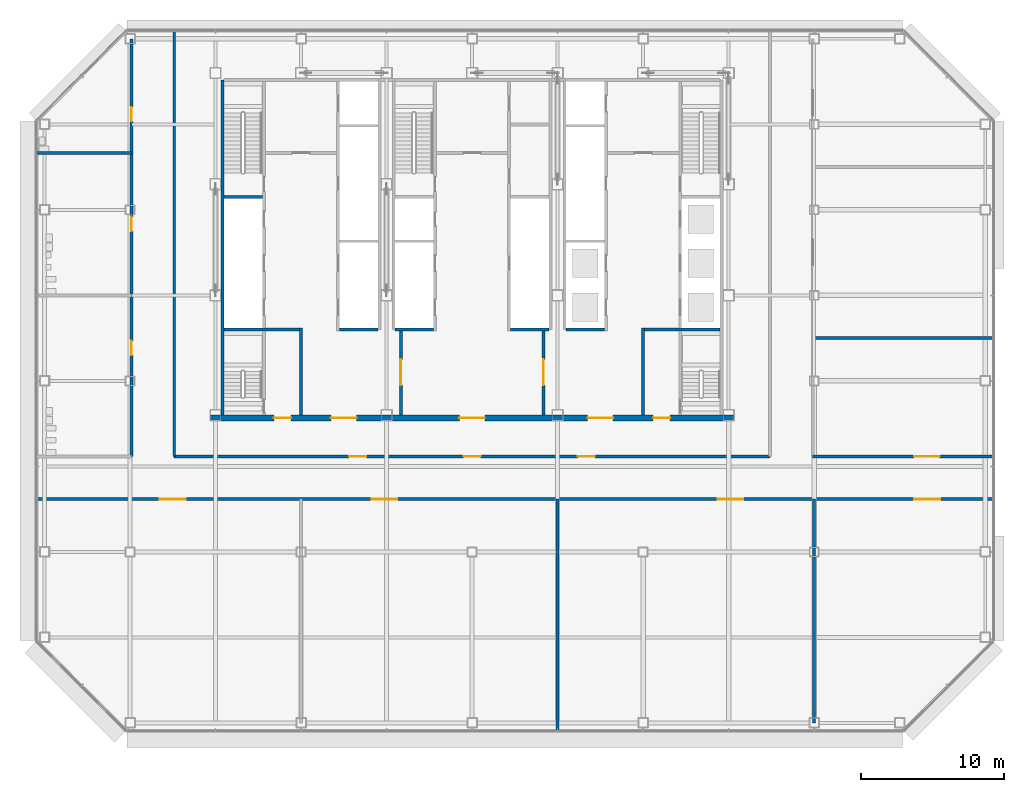
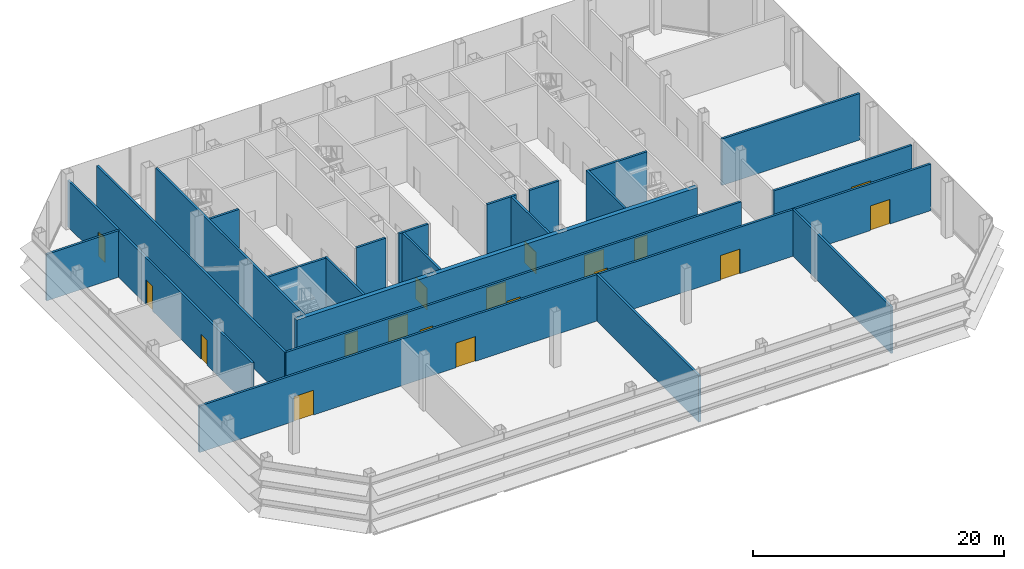
# One storey, part 16 of 24: 22 walls, 18 doors, 18 openings.
"""IFC4 building model written with IfcOpenShell, lengths in metres."""

from ifc_helpers import new_model, si_unit, direction, frame, frame_2d, origin, place, context, subcontext, project, spatial, rectangle, extrude, material, layer, layer_set, type_object, element, fill, save


model = new_model("IFC4")

# Units and contexts
model_context = context("Model", 3, precision=1e-05, world=origin(), true_north=direction((0.0, 1.0)))
body_context = subcontext(model_context, "Body", "Model", "MODEL_VIEW")
ifc_project = project(units=[si_unit("LENGTHUNIT", "METRE"), si_unit("AREAUNIT", "SQUARE_METRE"), si_unit("VOLUMEUNIT", "CUBIC_METRE"), si_unit("PLANEANGLEUNIT", "RADIAN"), si_unit("MASSUNIT", "GRAM", prefix="KILO")], contexts=[model_context])

# Site, building, storey
site_placement = place(None, origin())
site = spatial("IfcSite", under=ifc_project, at=site_placement, CompositionType="ELEMENT")
building_placement = place(site_placement, origin())
building = spatial("IfcBuilding", under=site, at=building_placement, Name="Sorahane Residences", CompositionType="ELEMENT")
storey_placement = place(building_placement, frame((0.0, 0.0, 161.800048828125)))
storey = spatial("IfcBuildingStorey", under=building, at=storey_placement, Name="L37", CompositionType="ELEMENT", Elevation=161.800048828125)

# Wall
ifc_material_1 = material(Name="Concrete C30", Category="concrete")
ifc_layer_1 = layer(ifc_material_1, 0.199951171875)
ifc_layer_set_1 = layer_set([ifc_layer_1], Name="Core face wall 200 EI 180")
wall_type_1 = type_object("IfcWallType", Name="Core face wall 200 EI 180", PredefinedType="SOLIDWALL", material=ifc_layer_set_1)
wall_1_placement = place(storey_placement, frame((6.5, 21.60009765625, 0.0), z_axis=(0.0, 0.0, 1.0), x_axis=(0.0, 1.0, 0.0)))
element("IfcWall", 1, at=wall_1_placement, inside=storey, type_object=wall_type_1, Name="L37 core face wall", PredefinedType="SOLIDWALL", context=body_context, shape_type="SweptSolid", body=[
    extrude(rectangle(XDim=23.5, YDim=0.199951171875, at=frame_2d((11.75, 0.0))), origin(), (0.0, 0.0, 1.0), 5.219970703125),
])

# Wall, openings, doors
ifc_material_2 = material(Name="Concrete blockwork C20 wall", Category="masonry")
ifc_layer_2 = layer(ifc_material_2, 0.199951171875)
ifc_layer_set_2 = layer_set([ifc_layer_2], Name="Corridor wall 200 EI 120")
wall_type_2 = type_object("IfcWallType", Name="Corridor wall 200 EI 120", PredefinedType="SOLIDWALL", material=ifc_layer_set_2)
wall_2_placement = place(storey_placement, frame((0.10009765625, 18.699951171875, 0.0), z_axis=(0.0, 0.0, 1.0), x_axis=(0.0, 1.0, 0.0)))
wall_2 = element("IfcWall", 2, at=wall_2_placement, inside=storey, type_object=wall_type_2, Name="L37 corridor wall", PredefinedType="SOLIDWALL", context=body_context, shape_type="SweptSolid", body=[
    extrude(rectangle(XDim=29.300048828125, YDim=0.199951171875, at=frame_2d((14.64990234375, 0.0))), origin(), (0.0, 0.0, 1.0), 4.52001953125),
])
opening_1_placement = place(wall_2_placement, frame((7.110107421875, 0.0, 0.0)))
opening_1 = element("IfcOpeningElement", 3, at=opening_1_placement, cuts=wall_2, Name="Opening L37-05", PredefinedType="OPENING", context=body_context, shape_type="SweptSolid", body=[
    extrude(rectangle(XDim=1.0, YDim=2.39990234375, at=frame_2d((0.5, 1.199951171875))), frame((0.0, 0.10986328125, 0.0), z_axis=(0.0, -1.0, 0.0), x_axis=(1.0, 0.0, 0.0)), (0.0, 0.0, 1.0), 0.219970703125),
])
opening_2_placement = place(wall_2_placement, frame((15.800048828125, 0.0, 0.0)))
opening_2 = element("IfcOpeningElement", 4, at=opening_2_placement, cuts=wall_2, Name="Opening L37-06", PredefinedType="OPENING", context=body_context, shape_type="SweptSolid", body=[
    extrude(rectangle(XDim=1.0, YDim=2.39990234375, at=frame_2d((0.5, 1.199951171875))), frame((0.0, 0.10986328125, 0.0), z_axis=(0.0, -1.0, 0.0), x_axis=(1.0, 0.0, 0.0)), (0.0, 0.0, 1.0), 0.219970703125),
])
opening_3_placement = place(wall_2_placement, frame((23.5, 0.0, 0.0)))
opening_3 = element("IfcOpeningElement", 5, at=opening_3_placement, cuts=wall_2, Name="Opening L37-07", PredefinedType="OPENING", context=body_context, shape_type="SweptSolid", body=[
    extrude(rectangle(XDim=1.0, YDim=2.39990234375, at=frame_2d((0.5, 1.199951171875))), frame((0.0, 0.10986328125, 0.0), z_axis=(0.0, -1.0, 0.0), x_axis=(1.0, 0.0, 0.0)), (0.0, 0.0, 1.0), 0.219970703125),
])
ifc_material_3 = material(Name="Timber veneered fire door", Category="wood")
door_type_1 = type_object("IfcDoorType", Name="Room door 1000x2400 FD30", OperationType="NOTDEFINED", PredefinedType="DOOR", material=ifc_material_3)
door_1_placement = place(opening_1_placement, origin())
door_1 = element("IfcDoor", 6, at=door_1_placement, inside=storey, type_object=door_type_1, Name="Room door L37-05", OperationType="SINGLE_SWING_LEFT", OverallHeight=2.39990234375, OverallWidth=1.0, PredefinedType="DOOR", context=body_context, shape_type="SweptSolid", body=[
    extrude(rectangle(XDim=1.0, YDim=2.39990234375, at=frame_2d((0.5, 1.199951171875))), frame((0.0, 0.02490234375, 0.0), z_axis=(0.0, -1.0, 0.0), x_axis=(1.0, 0.0, 0.0)), (0.0, 0.0, 1.0), 0.050048828125),
])
fill(opening_1, door_1)
door_2_placement = place(opening_2_placement, origin())
door_2 = element("IfcDoor", 7, at=door_2_placement, inside=storey, type_object=door_type_1, Name="Room door L37-06", OperationType="SINGLE_SWING_RIGHT", OverallHeight=2.39990234375, OverallWidth=1.0, PredefinedType="DOOR", context=body_context, shape_type="SweptSolid", body=[
    extrude(rectangle(XDim=1.0, YDim=2.39990234375, at=frame_2d((0.5, 1.199951171875))), frame((0.0, 0.02490234375, 0.0), z_axis=(0.0, -1.0, 0.0), x_axis=(1.0, 0.0, 0.0)), (0.0, 0.0, 1.0), 0.050048828125),
])
fill(opening_2, door_2)
door_3_placement = place(opening_3_placement, origin())
door_3 = element("IfcDoor", 8, at=door_3_placement, inside=storey, type_object=door_type_1, Name="Room door L37-07", OperationType="SINGLE_SWING_LEFT", OverallHeight=2.39990234375, OverallWidth=1.0, PredefinedType="DOOR", context=body_context, shape_type="SweptSolid", body=[
    extrude(rectangle(XDim=1.0, YDim=2.39990234375, at=frame_2d((0.5, 1.199951171875))), frame((0.0, 0.02490234375, 0.0), z_axis=(0.0, -1.0, 0.0), x_axis=(1.0, 0.0, 0.0)), (0.0, 0.0, 1.0), 0.050048828125),
])
fill(opening_3, door_3)

# Walls
wall_3_placement = place(storey_placement, frame((3.10009765625, 18.699951171875, 0.0), z_axis=(0.0, 0.0, 1.0), x_axis=(0.0, 1.0, 0.0)))
element("IfcWall", 9, at=wall_3_placement, inside=storey, type_object=wall_type_2, Name="L37 corridor wall", PredefinedType="SOLIDWALL", context=body_context, shape_type="SweptSolid", body=[
    extrude(rectangle(XDim=29.900146484375, YDim=0.199951171875, at=frame_2d((14.9501953125, 0.0))), origin(), (0.0, 0.0, 1.0), 4.52001953125),
])
wall_4_placement = place(storey_placement, frame((30.0, -0.60009765625, 0.0), z_axis=(0.0, 0.0, 1.0), x_axis=(0.0, 1.0, 0.0)))
element("IfcWall", 10, at=wall_4_placement, inside=storey, type_object=wall_type_2, Name="L37 corridor wall", PredefinedType="SOLIDWALL", context=body_context, shape_type="SweptSolid", body=[
    extrude(rectangle(XDim=16.300048828125, YDim=0.199951171875, at=frame_2d((8.14990234375, 0.0))), origin(), (0.0, 0.0, 1.0), 4.52001953125),
])
wall_5_placement = place(storey_placement, frame((48.0, 0.0, 0.0), z_axis=(0.0, 0.0, 1.0), x_axis=(0.0, 1.0, 0.0)))
element("IfcWall", 11, at=wall_5_placement, inside=storey, type_object=wall_type_2, Name="L37 corridor wall", PredefinedType="SOLIDWALL", context=body_context, shape_type="SweptSolid", body=[
    extrude(rectangle(XDim=15.699951171875, YDim=0.199951171875, at=frame_2d((7.85009765625, 0.0))), origin(), (0.0, 0.0, 1.0), 4.52001953125),
])

# Wall, openings, doors
wall_6_placement = place(storey_placement, frame((-6.60009765625, 15.699951171875, 0.0), z_axis=(0.0, 0.0, 1.0), x_axis=(1.0, 0.0, 0.0)))
wall_6 = element("IfcWall", 12, at=wall_6_placement, inside=storey, type_object=wall_type_2, Name="L37 corridor wall", PredefinedType="SOLIDWALL", context=body_context, shape_type="SweptSolid", body=[
    extrude(rectangle(XDim=67.2001953125, YDim=0.199951171875, at=frame_2d((33.60009765625, 0.0))), origin(), (0.0, 0.0, 1.0), 4.52001953125),
])
opening_4_placement = place(wall_6_placement, frame((8.699951171875, 0.0, 0.0)))
opening_4 = element("IfcOpeningElement", 13, at=opening_4_placement, cuts=wall_6, Name="Opening L37-01", PredefinedType="OPENING", context=body_context, shape_type="SweptSolid", body=[
    extrude(rectangle(XDim=1.800048828125, YDim=2.39990234375, at=frame_2d((0.89990234375, 1.199951171875))), frame((0.0, 0.10986328125, 0.0), z_axis=(0.0, -1.0, 0.0), x_axis=(1.0, 0.0, 0.0)), (0.0, 0.0, 1.0), 0.219970703125),
])
opening_5_placement = place(wall_6_placement, frame((23.56005859375, 0.0, 0.0)))
opening_5 = element("IfcOpeningElement", 14, at=opening_5_placement, cuts=wall_6, Name="Opening L37-02", PredefinedType="OPENING", context=body_context, shape_type="SweptSolid", body=[
    extrude(rectangle(XDim=1.800048828125, YDim=2.39990234375, at=frame_2d((0.89990234375, 1.199951171875))), frame((0.0, 0.10986328125, 0.0), z_axis=(0.0, -1.0, 0.0), x_axis=(1.0, 0.0, 0.0)), (0.0, 0.0, 1.0), 0.219970703125),
])
opening_6_placement = place(wall_6_placement, frame((47.840087890625, 0.0, 0.0)))
opening_6 = element("IfcOpeningElement", 15, at=opening_6_placement, cuts=wall_6, Name="Opening L37-03", PredefinedType="OPENING", context=body_context, shape_type="SweptSolid", body=[
    extrude(rectangle(XDim=1.800048828125, YDim=2.39990234375, at=frame_2d((0.89990234375, 1.199951171875))), frame((0.0, 0.10986328125, 0.0), z_axis=(0.0, -1.0, 0.0), x_axis=(1.0, 0.0, 0.0)), (0.0, 0.0, 1.0), 0.219970703125),
])
opening_7_placement = place(wall_6_placement, frame((61.639892578125, 0.0, 0.0)))
opening_7 = element("IfcOpeningElement", 16, at=opening_7_placement, cuts=wall_6, Name="Opening L37-04", PredefinedType="OPENING", context=body_context, shape_type="SweptSolid", body=[
    extrude(rectangle(XDim=1.800048828125, YDim=2.39990234375, at=frame_2d((0.89990234375, 1.199951171875))), frame((0.0, 0.10986328125, 0.0), z_axis=(0.0, -1.0, 0.0), x_axis=(1.0, 0.0, 0.0)), (0.0, 0.0, 1.0), 0.219970703125),
])
ifc_material_4 = material(Name="Timber veneered fire door", Category="wood")
door_type_2 = type_object("IfcDoorType", Name="Double door 1800x2400 FD30", OperationType="NOTDEFINED", PredefinedType="DOOR", material=ifc_material_4)
door_4_placement = place(opening_4_placement, origin())
door_4 = element("IfcDoor", 17, at=door_4_placement, inside=storey, type_object=door_type_2, Name="Double door L37-01", OperationType="SINGLE_SWING_RIGHT", OverallHeight=2.39990234375, OverallWidth=1.800048828125, PredefinedType="DOOR", context=body_context, shape_type="SweptSolid", body=[
    extrude(rectangle(XDim=1.800048828125, YDim=2.39990234375, at=frame_2d((0.89990234375, 1.199951171875))), frame((0.0, 0.02490234375, 0.0), z_axis=(0.0, -1.0, 0.0), x_axis=(1.0, 0.0, 0.0)), (0.0, 0.0, 1.0), 0.050048828125),
])
fill(opening_4, door_4)
door_5_placement = place(opening_5_placement, origin())
door_5 = element("IfcDoor", 18, at=door_5_placement, inside=storey, type_object=door_type_2, Name="Double door L37-02", OperationType="SINGLE_SWING_LEFT", OverallHeight=2.39990234375, OverallWidth=1.800048828125, PredefinedType="DOOR", context=body_context, shape_type="SweptSolid", body=[
    extrude(rectangle(XDim=1.800048828125, YDim=2.39990234375, at=frame_2d((0.89990234375, 1.199951171875))), frame((0.0, 0.02490234375, 0.0), z_axis=(0.0, -1.0, 0.0), x_axis=(1.0, 0.0, 0.0)), (0.0, 0.0, 1.0), 0.050048828125),
])
fill(opening_5, door_5)
door_6_placement = place(opening_6_placement, origin())
door_6 = element("IfcDoor", 19, at=door_6_placement, inside=storey, type_object=door_type_2, Name="Double door L37-03", OperationType="SINGLE_SWING_LEFT", OverallHeight=2.39990234375, OverallWidth=1.800048828125, PredefinedType="DOOR", context=body_context, shape_type="SweptSolid", body=[
    extrude(rectangle(XDim=1.800048828125, YDim=2.39990234375, at=frame_2d((0.89990234375, 1.199951171875))), frame((0.0, 0.02490234375, 0.0), z_axis=(0.0, -1.0, 0.0), x_axis=(1.0, 0.0, 0.0)), (0.0, 0.0, 1.0), 0.050048828125),
])
fill(opening_6, door_6)
door_7_placement = place(opening_7_placement, origin())
door_7 = element("IfcDoor", 20, at=door_7_placement, inside=storey, type_object=door_type_2, Name="Double door L37-04", OperationType="SINGLE_SWING_LEFT", OverallHeight=2.39990234375, OverallWidth=1.800048828125, PredefinedType="DOOR", context=body_context, shape_type="SweptSolid", body=[
    extrude(rectangle(XDim=1.800048828125, YDim=2.39990234375, at=frame_2d((0.89990234375, 1.199951171875))), frame((0.0, 0.02490234375, 0.0), z_axis=(0.0, -1.0, 0.0), x_axis=(1.0, 0.0, 0.0)), (0.0, 0.0, 1.0), 0.050048828125),
])
fill(opening_7, door_7)

wall_7_placement = place(storey_placement, frame((3.10009765625, 18.699951171875, 0.0), z_axis=(0.0, 0.0, 1.0), x_axis=(1.0, 0.0, 0.0)))
wall_7 = element("IfcWall", 21, at=wall_7_placement, inside=storey, type_object=wall_type_2, Name="L37 corridor wall", PredefinedType="SOLIDWALL", context=body_context, shape_type="SweptSolid", body=[
    extrude(rectangle(XDim=41.7998046875, YDim=0.199951171875, at=frame_2d((20.89990234375, 0.0))), origin(), (0.0, 0.0, 1.0), 4.52001953125),
])
opening_8_placement = place(wall_7_placement, frame((28.320068359375, 0.0, 0.0)))
opening_8 = element("IfcOpeningElement", 22, at=opening_8_placement, cuts=wall_7, Name="Opening L37-11", PredefinedType="OPENING", context=body_context, shape_type="SweptSolid", body=[
    extrude(rectangle(XDim=1.199951171875, YDim=2.39990234375, at=frame_2d((0.60009765625, 1.199951171875))), frame((0.0, 0.10986328125, 0.0), z_axis=(0.0, -1.0, 0.0), x_axis=(1.0, 0.0, 0.0)), (0.0, 0.0, 1.0), 0.219970703125),
])
opening_9_placement = place(wall_7_placement, frame((20.300048828125, 0.0, 0.0)))
opening_9 = element("IfcOpeningElement", 23, at=opening_9_placement, cuts=wall_7, Name="Opening L37-12", PredefinedType="OPENING", context=body_context, shape_type="SweptSolid", body=[
    extrude(rectangle(XDim=1.199951171875, YDim=2.39990234375, at=frame_2d((0.60009765625, 1.199951171875))), frame((0.0, 0.10986328125, 0.0), z_axis=(0.0, -1.0, 0.0), x_axis=(1.0, 0.0, 0.0)), (0.0, 0.0, 1.0), 0.219970703125),
])
opening_10_placement = place(wall_7_placement, frame((12.280029296875, 0.0, 0.0)))
opening_10 = element("IfcOpeningElement", 24, at=opening_10_placement, cuts=wall_7, Name="Opening L37-13", PredefinedType="OPENING", context=body_context, shape_type="SweptSolid", body=[
    extrude(rectangle(XDim=1.199951171875, YDim=2.39990234375, at=frame_2d((0.60009765625, 1.199951171875))), frame((0.0, 0.10986328125, 0.0), z_axis=(0.0, -1.0, 0.0), x_axis=(1.0, 0.0, 0.0)), (0.0, 0.0, 1.0), 0.219970703125),
])
ifc_material_5 = material(Name="Steel", Category="steel")
door_type_3 = type_object("IfcDoorType", Name="Lobby door 1200x2400 FD60", OperationType="NOTDEFINED", PredefinedType="DOOR", material=ifc_material_5)
door_8_placement = place(opening_8_placement, frame((1.199951171875, 0.0, 0.0), z_axis=(0.0, 0.0, 1.0), x_axis=(-1.0, 0.0, 0.0)))
door_8 = element("IfcDoor", 25, at=door_8_placement, inside=storey, type_object=door_type_3, Name="Lobby door L37-11", OperationType="SINGLE_SWING_LEFT", OverallHeight=2.39990234375, OverallWidth=1.199951171875, PredefinedType="DOOR", context=body_context, shape_type="SweptSolid", body=[
    extrude(rectangle(XDim=1.199951171875, YDim=2.39990234375, at=frame_2d((0.60009765625, 1.199951171875))), frame((0.0, 0.02490234375, 0.0), z_axis=(0.0, -1.0, 0.0), x_axis=(1.0, 0.0, 0.0)), (0.0, 0.0, 1.0), 0.050048828125),
])
fill(opening_8, door_8)
door_9_placement = place(opening_9_placement, frame((1.199951171875, 0.0, 0.0), z_axis=(0.0, 0.0, 1.0), x_axis=(-1.0, 0.0, 0.0)))
door_9 = element("IfcDoor", 26, at=door_9_placement, inside=storey, type_object=door_type_3, Name="Lobby door L37-12", OperationType="SINGLE_SWING_LEFT", OverallHeight=2.39990234375, OverallWidth=1.199951171875, PredefinedType="DOOR", context=body_context, shape_type="SweptSolid", body=[
    extrude(rectangle(XDim=1.199951171875, YDim=2.39990234375, at=frame_2d((0.60009765625, 1.199951171875))), frame((0.0, 0.02490234375, 0.0), z_axis=(0.0, -1.0, 0.0), x_axis=(1.0, 0.0, 0.0)), (0.0, 0.0, 1.0), 0.050048828125),
])
fill(opening_9, door_9)
door_10_placement = place(opening_10_placement, frame((1.199951171875, 0.0, 0.0), z_axis=(0.0, 0.0, 1.0), x_axis=(-1.0, 0.0, 0.0)))
door_10 = element("IfcDoor", 27, at=door_10_placement, inside=storey, type_object=door_type_3, Name="Lobby door L37-13", OperationType="SINGLE_SWING_RIGHT", OverallHeight=2.39990234375, OverallWidth=1.199951171875, PredefinedType="DOOR", context=body_context, shape_type="SweptSolid", body=[
    extrude(rectangle(XDim=1.199951171875, YDim=2.39990234375, at=frame_2d((0.60009765625, 1.199951171875))), frame((0.0, 0.02490234375, 0.0), z_axis=(0.0, -1.0, 0.0), x_axis=(1.0, 0.0, 0.0)), (0.0, 0.0, 1.0), 0.050048828125),
])
fill(opening_10, door_10)

# Wall, opening, door
wall_8_placement = place(storey_placement, frame((47.89990234375, 18.699951171875, 0.0), z_axis=(0.0, 0.0, 1.0), x_axis=(1.0, 0.0, 0.0)))
wall_8 = element("IfcWall", 28, at=wall_8_placement, inside=storey, type_object=wall_type_2, Name="L37 corridor wall", PredefinedType="SOLIDWALL", context=body_context, shape_type="SweptSolid", body=[
    extrude(rectangle(XDim=12.7001953125, YDim=0.199951171875, at=frame_2d((6.35009765625, 0.0))), origin(), (0.0, 0.0, 1.0), 4.52001953125),
])
opening_11_placement = place(wall_8_placement, frame((7.110107421875, 0.0, 0.0)))
opening_11 = element("IfcOpeningElement", 29, at=opening_11_placement, cuts=wall_8, Name="Opening L37-08", PredefinedType="OPENING", context=body_context, shape_type="SweptSolid", body=[
    extrude(rectangle(XDim=1.800048828125, YDim=2.39990234375, at=frame_2d((0.89990234375, 1.199951171875))), frame((0.0, 0.10986328125, 0.0), z_axis=(0.0, -1.0, 0.0), x_axis=(1.0, 0.0, 0.0)), (0.0, 0.0, 1.0), 0.219970703125),
])
door_11_placement = place(opening_11_placement, frame((1.800048828125, 0.0, 0.0), z_axis=(0.0, 0.0, 1.0), x_axis=(-1.0, 0.0, 0.0)))
door_11 = element("IfcDoor", 30, at=door_11_placement, inside=storey, type_object=door_type_2, Name="Double door L37-08", OperationType="SINGLE_SWING_RIGHT", OverallHeight=2.39990234375, OverallWidth=1.800048828125, PredefinedType="DOOR", context=body_context, shape_type="SweptSolid", body=[
    extrude(rectangle(XDim=1.800048828125, YDim=2.39990234375, at=frame_2d((0.89990234375, 1.199951171875))), frame((0.0, 0.02490234375, 0.0), z_axis=(0.0, -1.0, 0.0), x_axis=(1.0, 0.0, 0.0)), (0.0, 0.0, 1.0), 0.050048828125),
])
fill(opening_11, door_11)

# Walls
wall_9_placement = place(storey_placement, frame((47.89990234375, 27.0, 0.0), z_axis=(0.0, 0.0, 1.0), x_axis=(1.0, 0.0, 0.0)))
element("IfcWall", 31, at=wall_9_placement, inside=storey, type_object=wall_type_2, Name="L37 corridor wall", PredefinedType="SOLIDWALL", context=body_context, shape_type="SweptSolid", body=[
    extrude(rectangle(XDim=12.7001953125, YDim=0.199951171875, at=frame_2d((6.35009765625, 0.0))), origin(), (0.0, 0.0, 1.0), 4.52001953125),
])
wall_10_placement = place(storey_placement, frame((-6.60009765625, 40.0, 0.0), z_axis=(0.0, 0.0, 1.0), x_axis=(1.0, 0.0, 0.0)))
element("IfcWall", 32, at=wall_10_placement, inside=storey, type_object=wall_type_2, Name="L37 corridor wall", PredefinedType="SOLIDWALL", context=body_context, shape_type="SweptSolid", body=[
    extrude(rectangle(XDim=6.7001953125, YDim=0.199951171875, at=frame_2d((3.35009765625, 0.0))), origin(), (0.0, 0.0, 1.0), 4.52001953125),
])
ifc_material_6 = material(Name="Concrete C30", Category="concrete")
ifc_layer_3 = layer(ifc_material_6, 0.199951171875)
ifc_layer_set_3 = layer_set([ifc_layer_3], Name="Front room wall 200 EI 120")
wall_type_3 = type_object("IfcWallType", Name="Front room wall 200 EI 120", PredefinedType="PARTITIONING", material=ifc_layer_set_3)
for number, where, z_axis, x_axis, name in (
    (33, (12.0, 21.60009765625, 0.0), (0.0, 0.0, 1.0), (0.0, 1.0, 0.0), "L37 front room wall"),
    (34, (36.0, 21.60009765625, 0.0), (0.0, 0.0, 1.0), (0.0, 1.0, 0.0), "L37 front room wall"),
):
    element("IfcWall", number, at=place(storey_placement, frame(where, z_axis=z_axis, x_axis=x_axis)), inside=storey, type_object=wall_type_3, Name=name, PredefinedType="PARTITIONING", context=body_context, shape_type="SweptSolid", body=[
        extrude(rectangle(XDim=6.099853515625, YDim=0.199951171875, at=frame_2d((3.0498046875, 0.0))), origin(), (0.0, 0.0, 1.0), 5.219970703125),
    ])
ifc_material_7 = material(Name="Concrete C30", Category="concrete")
ifc_layer_4 = layer(ifc_material_7, 0.199951171875)
ifc_layer_set_4 = layer_set([ifc_layer_4], Name="Lift shaft wall 200 EI 120")
wall_type_4 = type_object("IfcWallType", Name="Lift shaft wall 200 EI 120", PredefinedType="SOLIDWALL", material=ifc_layer_set_4)
for number, where, z_axis, x_axis, name in (
    (35, (14.699951171875, 27.60009765625, 0.0), (0.0, 0.0, 1.0), (1.0, 0.0, 0.0), "L37 lift shaft wall"),
    (36, (18.60009765625, 27.60009765625, 0.0), (0.0, 0.0, 1.0), (1.0, 0.0, 0.0), "L37 lift shaft wall"),
    (37, (30.60009765625, 27.60009765625, 0.0), (0.0, 0.0, 1.0), (1.0, 0.0, 0.0), "L37 lift shaft wall"),
):
    element("IfcWall", number, at=place(storey_placement, frame(where, z_axis=z_axis, x_axis=x_axis)), inside=storey, type_object=wall_type_4, Name=name, PredefinedType="SOLIDWALL", context=body_context, shape_type="SweptSolid", body=[
        extrude(rectangle(XDim=2.699951171875, YDim=0.199951171875, at=frame_2d((1.35009765625, 0.0))), origin(), (0.0, 0.0, 1.0), 5.219970703125),
    ])
ifc_material_8 = material(Name="Concrete C30", Category="concrete")
ifc_layer_5 = layer(ifc_material_8, 0.199951171875)
ifc_layer_set_5 = layer_set([ifc_layer_5], Name="Riser shaft wall 200 EI 120")
wall_type_5 = type_object("IfcWallType", Name="Riser shaft wall 200 EI 120", PredefinedType="SOLIDWALL", material=ifc_layer_set_5)
wall_11_placement = place(storey_placement, frame((26.699951171875, 27.60009765625, 0.0), z_axis=(0.0, 0.0, 1.0), x_axis=(1.0, 0.0, 0.0)))
element("IfcWall", 38, at=wall_11_placement, inside=storey, type_object=wall_type_5, Name="L37 riser wall", PredefinedType="SOLIDWALL", context=body_context, shape_type="SweptSolid", body=[
    extrude(rectangle(XDim=2.699951171875, YDim=0.199951171875, at=frame_2d((1.35009765625, 0.0))), origin(), (0.0, 0.0, 1.0), 5.219970703125),
])

# Wall, opening, door
ifc_material_9 = material(Name="Concrete C30", Category="concrete")
ifc_layer_6 = layer(ifc_material_9, 0.199951171875)
ifc_layer_set_6 = layer_set([ifc_layer_6], Name="Service room partition 200 EI 60")
wall_type_6 = type_object("IfcWallType", Name="Service room partition 200 EI 60", PredefinedType="PARTITIONING", material=ifc_layer_set_6)
wall_12_placement = place(storey_placement, frame((19.0, 21.60009765625, 0.0), z_axis=(0.0, 0.0, 1.0), x_axis=(0.0, 1.0, 0.0)))
wall_12 = element("IfcWall", 39, at=wall_12_placement, inside=storey, type_object=wall_type_6, Name="L37 service room wall", PredefinedType="PARTITIONING", context=body_context, shape_type="SweptSolid", body=[
    extrude(rectangle(XDim=6.0, YDim=0.199951171875, at=frame_2d((3.0, 0.0))), origin(), (0.0, 0.0, 1.0), 5.219970703125),
])
opening_12_placement = place(wall_12_placement, frame((2.10009765625, 0.0, 0.0)))
opening_12 = element("IfcOpeningElement", 40, at=opening_12_placement, cuts=wall_12, Name="Opening L37-C02", PredefinedType="OPENING", context=body_context, shape_type="SweptSolid", body=[
    extrude(rectangle(XDim=1.800048828125, YDim=2.10009765625, at=frame_2d((0.89990234375, 1.050048828125))), frame((0.0, 0.10986328125, 0.0), z_axis=(0.0, -1.0, 0.0), x_axis=(1.0, 0.0, 0.0)), (0.0, 0.0, 1.0), 0.219970703125),
])
ifc_material_10 = material(Name="Steel", Category="steel")
door_type_4 = type_object("IfcDoorType", Name="Waiting hall door 1800x2100 FD60", OperationType="NOTDEFINED", PredefinedType="DOOR", material=ifc_material_10)
door_12_placement = place(opening_12_placement, origin())
door_12 = element("IfcDoor", 41, at=door_12_placement, inside=storey, type_object=door_type_4, Name="Waiting hall door Residents' waiting hall west L37", OperationType="SINGLE_SWING_LEFT", OverallHeight=2.10009765625, OverallWidth=1.800048828125, PredefinedType="DOOR", context=body_context, shape_type="SweptSolid", body=[
    extrude(rectangle(XDim=1.800048828125, YDim=2.10009765625, at=frame_2d((0.89990234375, 1.050048828125))), frame((0.0, 0.02490234375, 0.0), z_axis=(0.0, -1.0, 0.0), x_axis=(1.0, 0.0, 0.0)), (0.0, 0.0, 1.0), 0.050048828125),
])
fill(opening_12, door_12)

wall_13_placement = place(storey_placement, frame((29.0, 21.60009765625, 0.0), z_axis=(0.0, 0.0, 1.0), x_axis=(0.0, 1.0, 0.0)))
wall_13 = element("IfcWall", 42, at=wall_13_placement, inside=storey, type_object=wall_type_6, Name="L37 service room wall", PredefinedType="PARTITIONING", context=body_context, shape_type="SweptSolid", body=[
    extrude(rectangle(XDim=6.0, YDim=0.199951171875, at=frame_2d((3.0, 0.0))), origin(), (0.0, 0.0, 1.0), 5.219970703125),
])
opening_13_placement = place(wall_13_placement, frame((2.10009765625, 0.0, 0.0)))
opening_13 = element("IfcOpeningElement", 43, at=opening_13_placement, cuts=wall_13, Name="Opening L37-C04", PredefinedType="OPENING", context=body_context, shape_type="SweptSolid", body=[
    extrude(rectangle(XDim=1.800048828125, YDim=2.10009765625, at=frame_2d((0.89990234375, 1.050048828125))), frame((0.0, 0.10986328125, 0.0), z_axis=(0.0, -1.0, 0.0), x_axis=(1.0, 0.0, 0.0)), (0.0, 0.0, 1.0), 0.219970703125),
])
door_13_placement = place(opening_13_placement, origin())
door_13 = element("IfcDoor", 44, at=door_13_placement, inside=storey, type_object=door_type_4, Name="Waiting hall door Residents' waiting hall centre L37", OperationType="SINGLE_SWING_LEFT", OverallHeight=2.10009765625, OverallWidth=1.800048828125, PredefinedType="DOOR", context=body_context, shape_type="SweptSolid", body=[
    extrude(rectangle(XDim=1.800048828125, YDim=2.10009765625, at=frame_2d((0.89990234375, 1.050048828125))), frame((0.0, 0.02490234375, 0.0), z_axis=(0.0, -1.0, 0.0), x_axis=(1.0, 0.0, 0.0)), (0.0, 0.0, 1.0), 0.050048828125),
])
fill(opening_13, door_13)

# Walls
ifc_material_11 = material(Name="Concrete C30", Category="concrete")
ifc_layer_7 = layer(ifc_material_11, 0.199951171875)
ifc_layer_set_7 = layer_set([ifc_layer_7], Name="Stair enclosure wall 200 EI 120")
wall_type_7 = type_object("IfcWallType", Name="Stair enclosure wall 200 EI 120", PredefinedType="SOLIDWALL", material=ifc_layer_set_7)
for number, where, z_axis, x_axis, name in (
    (45, (36.10009765625, 27.60009765625, 0.0), (0.0, 0.0, 1.0), (1.0, 0.0, 0.0), "L37 stair enclosure wall"),
    (46, (6.60009765625, 27.60009765625, 0.0), (0.0, 0.0, 1.0), (1.0, 0.0, 0.0), "L37 stair enclosure wall"),
):
    element("IfcWall", number, at=place(storey_placement, frame(where, z_axis=z_axis, x_axis=x_axis)), inside=storey, type_object=wall_type_7, Name=name, PredefinedType="SOLIDWALL", context=body_context, shape_type="SweptSolid", body=[
        extrude(rectangle(XDim=5.2998046875, YDim=0.199951171875, at=frame_2d((2.64990234375, 0.0))), origin(), (0.0, 0.0, 1.0), 5.219970703125),
    ])
wall_14_placement = place(storey_placement, frame((6.60009765625, 36.89990234375, 0.0), z_axis=(0.0, 0.0, 1.0), x_axis=(1.0, 0.0, 0.0)))
element("IfcWall", 47, at=wall_14_placement, inside=storey, type_object=wall_type_7, Name="L37 stair enclosure wall", PredefinedType="SOLIDWALL", context=body_context, shape_type="SweptSolid", body=[
    extrude(rectangle(XDim=2.699951171875, YDim=0.199951171875, at=frame_2d((1.35009765625, 0.0))), origin(), (0.0, 0.0, 1.0), 5.219970703125),
])

# Wall, openings, doors
ifc_material_12 = material(Name="Concrete C30", Category="concrete")
ifc_layer_8 = layer(ifc_material_12, 0.39990234375)
ifc_layer_set_8 = layer_set([ifc_layer_8], Name="Waiting hall wall 400 EI 120")
wall_type_8 = type_object("IfcWallType", Name="Waiting hall wall 400 EI 120", PredefinedType="SOLIDWALL", material=ifc_layer_set_8)
wall_15_placement = place(storey_placement, frame((5.60009765625, 21.39990234375, 0.0), z_axis=(0.0, 0.0, 1.0), x_axis=(1.0, 0.0, 0.0)))
wall_15 = element("IfcWall", 48, at=wall_15_placement, inside=storey, type_object=wall_type_8, Name="L37 waiting hall wall", PredefinedType="SOLIDWALL", context=body_context, shape_type="SweptSolid", body=[
    extrude(rectangle(XDim=36.7998046875, YDim=0.39990234375, at=frame_2d((18.39990234375, 0.0))), origin(), (0.0, 0.0, 1.0), 5.219970703125),
])
opening_14_placement = place(wall_15_placement, frame((8.5, 0.0, 0.0)))
opening_14 = element("IfcOpeningElement", 49, at=opening_14_placement, cuts=wall_15, Name="Opening L37-C01", PredefinedType="OPENING", context=body_context, shape_type="SweptSolid", body=[
    extrude(rectangle(XDim=1.800048828125, YDim=2.10009765625, at=frame_2d((0.89990234375, 1.050048828125))), frame((0.0, 0.2099609375, 0.0), z_axis=(0.0, -1.0, 0.0), x_axis=(1.0, 0.0, 0.0)), (0.0, 0.0, 1.0), 0.419921875),
])
opening_15_placement = place(wall_15_placement, frame((17.5, 0.0, 0.0)))
opening_15 = element("IfcOpeningElement", 50, at=opening_15_placement, cuts=wall_15, Name="Opening L37-C03", PredefinedType="OPENING", context=body_context, shape_type="SweptSolid", body=[
    extrude(rectangle(XDim=1.800048828125, YDim=2.10009765625, at=frame_2d((0.89990234375, 1.050048828125))), frame((0.0, 0.2099609375, 0.0), z_axis=(0.0, -1.0, 0.0), x_axis=(1.0, 0.0, 0.0)), (0.0, 0.0, 1.0), 0.419921875),
])
opening_16_placement = place(wall_15_placement, frame((26.5, 0.0, 0.0)))
opening_16 = element("IfcOpeningElement", 51, at=opening_16_placement, cuts=wall_15, Name="Opening L37-C05", PredefinedType="OPENING", context=body_context, shape_type="SweptSolid", body=[
    extrude(rectangle(XDim=1.800048828125, YDim=2.10009765625, at=frame_2d((0.89990234375, 1.050048828125))), frame((0.0, 0.2099609375, 0.0), z_axis=(0.0, -1.0, 0.0), x_axis=(1.0, 0.0, 0.0)), (0.0, 0.0, 1.0), 0.419921875),
])
opening_17_placement = place(wall_15_placement, frame((4.5, 0.0, 0.0)))
opening_17 = element("IfcOpeningElement", 52, at=opening_17_placement, cuts=wall_15, Name="Opening L37-C06", PredefinedType="OPENING", context=body_context, shape_type="SweptSolid", body=[
    extrude(rectangle(XDim=1.199951171875, YDim=2.10009765625, at=frame_2d((0.60009765625, 1.050048828125))), frame((0.0, 0.2099609375, 0.0), z_axis=(0.0, -1.0, 0.0), x_axis=(1.0, 0.0, 0.0)), (0.0, 0.0, 1.0), 0.419921875),
])
opening_18_placement = place(wall_15_placement, frame((31.10009765625, 0.0, 0.0)))
opening_18 = element("IfcOpeningElement", 53, at=opening_18_placement, cuts=wall_15, Name="Opening L37-C07", PredefinedType="OPENING", context=body_context, shape_type="SweptSolid", body=[
    extrude(rectangle(XDim=1.199951171875, YDim=2.10009765625, at=frame_2d((0.60009765625, 1.050048828125))), frame((0.0, 0.2099609375, 0.0), z_axis=(0.0, -1.0, 0.0), x_axis=(1.0, 0.0, 0.0)), (0.0, 0.0, 1.0), 0.419921875),
])
ifc_material_13 = material(Name="Steel", Category="steel")
door_type_5 = type_object("IfcDoorType", Name="Stair front room door 1200x2100 FD120", OperationType="NOTDEFINED", PredefinedType="DOOR", material=ifc_material_13)
door_14_placement = place(opening_17_placement, frame((1.199951171875, 0.0, 0.0), z_axis=(0.0, 0.0, 1.0), x_axis=(-1.0, 0.0, 0.0)))
door_14 = element("IfcDoor", 54, at=door_14_placement, inside=storey, type_object=door_type_5, Name="Stair front room door Stair S4 front room L37", OperationType="SINGLE_SWING_LEFT", OverallHeight=2.10009765625, OverallWidth=1.199951171875, PredefinedType="DOOR", context=body_context, shape_type="SweptSolid", body=[
    extrude(rectangle(XDim=1.199951171875, YDim=2.10009765625, at=frame_2d((0.60009765625, 1.050048828125))), frame((0.0, 0.02490234375, 0.0), z_axis=(0.0, -1.0, 0.0), x_axis=(1.0, 0.0, 0.0)), (0.0, 0.0, 1.0), 0.050048828125),
])
fill(opening_17, door_14)
door_15_placement = place(opening_18_placement, frame((1.199951171875, 0.0, 0.0), z_axis=(0.0, 0.0, 1.0), x_axis=(-1.0, 0.0, 0.0)))
door_15 = element("IfcDoor", 55, at=door_15_placement, inside=storey, type_object=door_type_5, Name="Stair front room door Stair S5 front room L37", OperationType="SINGLE_SWING_LEFT", OverallHeight=2.10009765625, OverallWidth=1.199951171875, PredefinedType="DOOR", context=body_context, shape_type="SweptSolid", body=[
    extrude(rectangle(XDim=1.199951171875, YDim=2.10009765625, at=frame_2d((0.60009765625, 1.050048828125))), frame((0.0, 0.02490234375, 0.0), z_axis=(0.0, -1.0, 0.0), x_axis=(1.0, 0.0, 0.0)), (0.0, 0.0, 1.0), 0.050048828125),
])
fill(opening_18, door_15)
door_16_placement = place(opening_14_placement, frame((1.800048828125, 0.0, 0.0), z_axis=(0.0, 0.0, 1.0), x_axis=(-1.0, 0.0, 0.0)))
door_16 = element("IfcDoor", 56, at=door_16_placement, inside=storey, type_object=door_type_4, Name="Waiting hall door Residents' waiting hall west L37", OperationType="SINGLE_SWING_LEFT", OverallHeight=2.10009765625, OverallWidth=1.800048828125, PredefinedType="DOOR", context=body_context, shape_type="SweptSolid", body=[
    extrude(rectangle(XDim=1.800048828125, YDim=2.10009765625, at=frame_2d((0.89990234375, 1.050048828125))), frame((0.0, 0.02490234375, 0.0), z_axis=(0.0, -1.0, 0.0), x_axis=(1.0, 0.0, 0.0)), (0.0, 0.0, 1.0), 0.050048828125),
])
fill(opening_14, door_16)
door_17_placement = place(opening_15_placement, frame((1.800048828125, 0.0, 0.0), z_axis=(0.0, 0.0, 1.0), x_axis=(-1.0, 0.0, 0.0)))
door_17 = element("IfcDoor", 57, at=door_17_placement, inside=storey, type_object=door_type_4, Name="Waiting hall door Residents' waiting hall centre L37", OperationType="SINGLE_SWING_LEFT", OverallHeight=2.10009765625, OverallWidth=1.800048828125, PredefinedType="DOOR", context=body_context, shape_type="SweptSolid", body=[
    extrude(rectangle(XDim=1.800048828125, YDim=2.10009765625, at=frame_2d((0.89990234375, 1.050048828125))), frame((0.0, 0.02490234375, 0.0), z_axis=(0.0, -1.0, 0.0), x_axis=(1.0, 0.0, 0.0)), (0.0, 0.0, 1.0), 0.050048828125),
])
fill(opening_15, door_17)
door_18_placement = place(opening_16_placement, frame((1.800048828125, 0.0, 0.0), z_axis=(0.0, 0.0, 1.0), x_axis=(-1.0, 0.0, 0.0)))
door_18 = element("IfcDoor", 58, at=door_18_placement, inside=storey, type_object=door_type_4, Name="Waiting hall door Residents' waiting hall east L37", OperationType="SINGLE_SWING_LEFT", OverallHeight=2.10009765625, OverallWidth=1.800048828125, PredefinedType="DOOR", context=body_context, shape_type="SweptSolid", body=[
    extrude(rectangle(XDim=1.800048828125, YDim=2.10009765625, at=frame_2d((0.89990234375, 1.050048828125))), frame((0.0, 0.02490234375, 0.0), z_axis=(0.0, -1.0, 0.0), x_axis=(1.0, 0.0, 0.0)), (0.0, 0.0, 1.0), 0.050048828125),
])
fill(opening_16, door_18)

save(model, "model.ifc")
